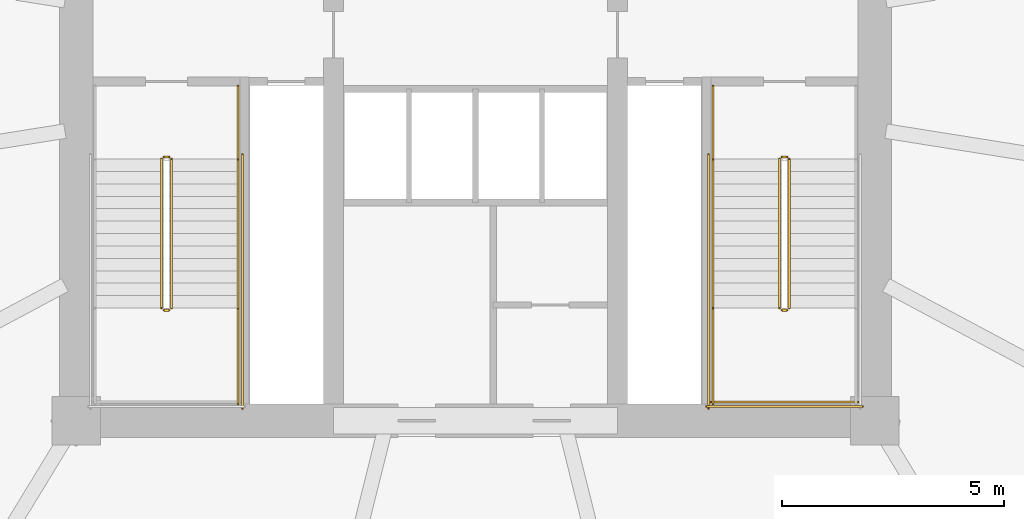
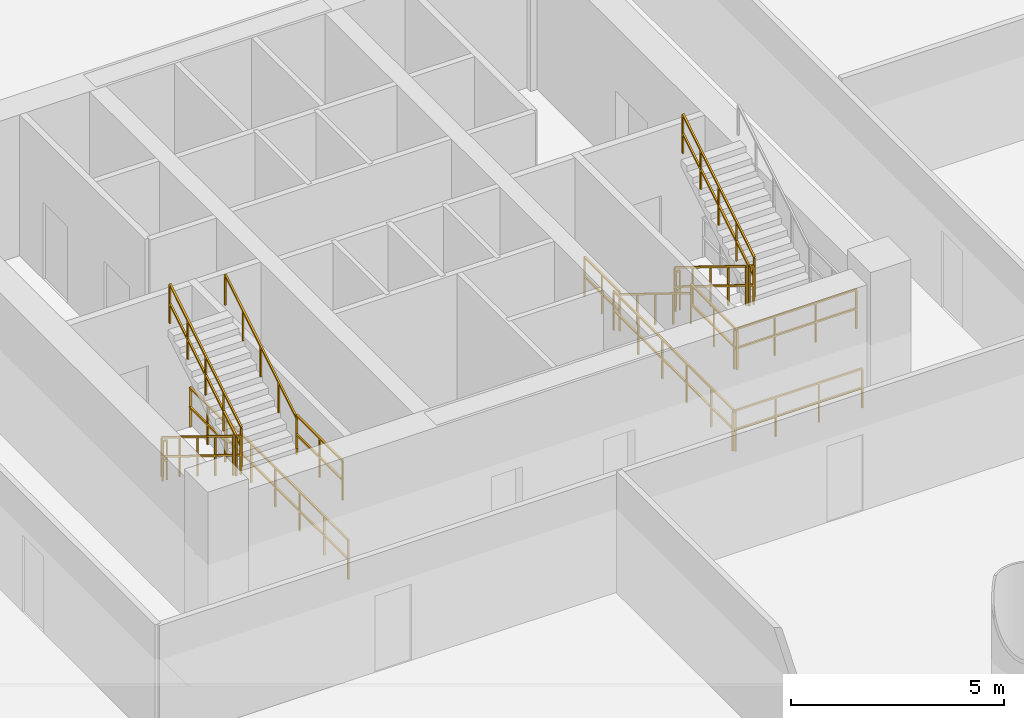
# One storey, part 29 of 36: 18 railings.
"""IFC4 building model written with IfcOpenShell, lengths in metres."""

from ifc_helpers import new_model, si_unit, direction, frame, origin, origin_2d, place, context, subcontext, project, spatial, rectangle, extrude, material, type_object, element, save


model = new_model("IFC4")

# Units and contexts
model_context = context("Model", 3, precision=1e-05, world=origin(), true_north=direction((-0.2419218956, 0.970295726276)))
body_context = subcontext(model_context, "Body", "Model", "MODEL_VIEW")
ifc_project = project(units=[si_unit("LENGTHUNIT", "METRE"), si_unit("AREAUNIT", "SQUARE_METRE"), si_unit("VOLUMEUNIT", "CUBIC_METRE"), si_unit("PLANEANGLEUNIT", "RADIAN"), si_unit("MASSUNIT", "GRAM", prefix="KILO")], contexts=[model_context])

# Site, building, storey
site_placement = place(None, origin())
site = spatial("IfcSite", under=ifc_project, at=site_placement, CompositionType="ELEMENT")
building_placement = place(site_placement, origin())
building = spatial("IfcBuilding", under=site, at=building_placement, Name="Cobrevalo Terracotta Tower", CompositionType="ELEMENT")
storey_placement = place(building_placement, frame((0.0, 0.0, 14.39990234375)))
storey = spatial("IfcBuildingStorey", under=building, at=storey_placement, Name="L03", CompositionType="ELEMENT", Elevation=14.39990234375)

# Railings
ifc_material_1 = material(Name="Brushed stainless steel", Category="steel")
railing_type_1 = type_object("IfcRailingType", Name="Stainless Steel Stair Handrail 900", PredefinedType="HANDRAIL", material=ifc_material_1)
railing_1_placement = place(storey_placement, frame((32.64501953125, 21.340087890625, 2.423095703125)))
element("IfcRailing", 1, at=railing_1_placement, inside=storey, type_object=railing_type_1, Name="L03 ST-1 stair handrail 2", PredefinedType="HANDRAIL", context=body_context, shape_type="SweptSolid", body=[
    extrude(rectangle(XDim=0.048095703125, YDim=0.048095703125, at=origin_2d()), frame((0.0, 0.0, 0.8759765625), z_axis=(0.0, 0.850606129759, 0.525803396734), x_axis=(-1.0, 0.0, 0.0)), (0.0, 0.0, 1.0), 3.949951171875),
    extrude(rectangle(XDim=0.0419921875, YDim=0.0419921875, at=origin_2d()), origin(), (0.0, 0.0, 1.0), 0.851806640625),
    extrude(rectangle(XDim=0.0419921875, YDim=0.0419921875, at=origin_2d()), frame((0.0, 0.83984375, 0.519287109375)), (0.0, 0.0, 1.0), 0.851806640625),
    extrude(rectangle(XDim=0.0419921875, YDim=0.0419921875, at=origin_2d()), frame((0.0, 1.679931640625, 1.03857421875)), (0.0, 0.0, 1.0), 0.851806640625),
    extrude(rectangle(XDim=0.0419921875, YDim=0.0419921875, at=origin_2d()), frame((0.0, 2.52001953125, 1.5576171875)), (0.0, 0.0, 1.0), 0.851806640625),
    extrude(rectangle(XDim=0.0419921875, YDim=0.0419921875, at=origin_2d()), frame((0.0, 3.35986328125, 2.076904296875)), (0.0, 0.0, 1.0), 0.851806640625),
])
railing_2_placement = place(storey_placement, frame((43.35498046875, 24.699951171875, 0.173095703125)))
element("IfcRailing", 2, at=railing_2_placement, inside=storey, type_object=railing_type_1, Name="L03 ST-2 stair handrail 1", PredefinedType="HANDRAIL", context=body_context, shape_type="SweptSolid", body=[
    extrude(rectangle(XDim=0.048095703125, YDim=0.048095703125, at=origin_2d()), frame((0.0, 0.0, 0.8759765625), z_axis=(0.0, -0.850606129759, 0.525803396734), x_axis=(1.0, 0.0, 0.0)), (0.0, 0.0, 1.0), 3.949951171875),
    extrude(rectangle(XDim=0.0419921875, YDim=0.0419921875, at=origin_2d()), origin(), (0.0, 0.0, 1.0), 0.851806640625),
    extrude(rectangle(XDim=0.0419921875, YDim=0.0419921875, at=origin_2d()), frame((0.0, -0.83984375, 0.519287109375)), (0.0, 0.0, 1.0), 0.851806640625),
    extrude(rectangle(XDim=0.0419921875, YDim=0.0419921875, at=origin_2d()), frame((0.0, -1.679931640625, 1.03857421875)), (0.0, 0.0, 1.0), 0.851806640625),
    extrude(rectangle(XDim=0.0419921875, YDim=0.0419921875, at=origin_2d()), frame((0.0, -2.52001953125, 1.5576171875)), (0.0, 0.0, 1.0), 0.851806640625),
    extrude(rectangle(XDim=0.0419921875, YDim=0.0419921875, at=origin_2d()), frame((0.0, -3.35986328125, 2.076904296875)), (0.0, 0.0, 1.0), 0.851806640625),
])
ifc_material_2 = material(Name="Painted galvanized steel", Category="steel")
railing_type_2 = type_object("IfcRailingType", Name="Stair Well Guard Balustrade 1150", PredefinedType="GUARDRAIL", material=ifc_material_2)
railing_3_placement = place(storey_placement, frame((30.925048828125, 24.699951171875, 0.173095703125)))
element("IfcRailing", 3, at=railing_3_placement, inside=storey, type_object=railing_type_2, Name="L03 ST-1 stair guard 1", PredefinedType="GUARDRAIL", context=body_context, shape_type="SweptSolid", body=[
    extrude(rectangle(XDim=0.048095703125, YDim=0.048095703125, at=origin_2d()), frame((0.0, 0.0, 1.1259765625), z_axis=(0.0, -0.850606129759, 0.525803396734), x_axis=(1.0, 0.0, 0.0)), (0.0, 0.0, 1.0), 3.949951171875),
    extrude(rectangle(XDim=0.048095703125, YDim=0.048095703125, at=origin_2d()), frame((0.0, 0.0, 0.574951171875), z_axis=(0.0, -0.850606129759, 0.525803396734), x_axis=(1.0, 0.0, 0.0)), (0.0, 0.0, 1.0), 3.949951171875),
    extrude(rectangle(XDim=0.0419921875, YDim=0.0419921875, at=origin_2d()), origin(), (0.0, 0.0, 1.0), 1.101806640625),
    extrude(rectangle(XDim=0.0419921875, YDim=0.0419921875, at=origin_2d()), frame((0.0, -0.83984375, 0.519287109375)), (0.0, 0.0, 1.0), 1.101806640625),
    extrude(rectangle(XDim=0.0419921875, YDim=0.0419921875, at=origin_2d()), frame((0.0, -1.679931640625, 1.03857421875)), (0.0, 0.0, 1.0), 1.101806640625),
    extrude(rectangle(XDim=0.0419921875, YDim=0.0419921875, at=origin_2d()), frame((0.0, -2.52001953125, 1.5576171875)), (0.0, 0.0, 1.0), 1.101806640625),
    extrude(rectangle(XDim=0.0419921875, YDim=0.0419921875, at=origin_2d()), frame((0.0, -3.35986328125, 2.076904296875)), (0.0, 0.0, 1.0), 1.101806640625),
])
railing_4_placement = place(storey_placement, frame((30.97509765625, 21.2900390625, 2.25)))
element("IfcRailing", 4, at=railing_4_placement, inside=storey, type_object=railing_type_2, Name="L03 ST-1 stair guard 2", PredefinedType="GUARDRAIL", context=body_context, shape_type="SweptSolid", body=[
    extrude(rectangle(XDim=0.048095703125, YDim=0.048095703125, at=origin_2d()), frame((0.0, 0.0, 1.1259765625), z_axis=(1.0, 0.0, 0.0), x_axis=(0.0, 1.0, 0.0)), (0.0, 0.0, 1.0), 0.119873046875),
    extrude(rectangle(XDim=0.048095703125, YDim=0.048095703125, at=origin_2d()), frame((0.0, 0.0, 0.574951171875), z_axis=(1.0, 0.0, 0.0), x_axis=(0.0, 1.0, 0.0)), (0.0, 0.0, 1.0), 0.119873046875),
    extrude(rectangle(XDim=0.0419921875, YDim=0.0419921875, at=origin_2d()), origin(), (0.0, 0.0, 1.0), 1.101806640625),
    extrude(rectangle(XDim=0.0419921875, YDim=0.0419921875, at=origin_2d()), frame((0.119873046875, 0.0, 0.0)), (0.0, 0.0, 1.0), 1.101806640625),
])
railing_5_placement = place(storey_placement, frame((32.64501953125, 21.340087890625, 2.25)))
element("IfcRailing", 5, at=railing_5_placement, inside=storey, type_object=railing_type_2, Name="L03 ST-1 stair guard 4", PredefinedType="GUARDRAIL", context=body_context, shape_type="SweptSolid", body=[
    extrude(rectangle(XDim=0.048095703125, YDim=0.048095703125, at=origin_2d()), frame((0.0, 0.0, 1.1259765625), z_axis=(0.0, -1.0, 0.0), x_axis=(1.0, 0.0, 0.0)), (0.0, 0.0, 1.0), 2.1650390625),
    extrude(rectangle(XDim=0.048095703125, YDim=0.048095703125, at=origin_2d()), frame((0.0, 0.0, 0.574951171875), z_axis=(0.0, -1.0, 0.0), x_axis=(1.0, 0.0, 0.0)), (0.0, 0.0, 1.0), 2.1650390625),
    extrude(rectangle(XDim=0.0419921875, YDim=0.0419921875, at=origin_2d()), origin(), (0.0, 0.0, 1.0), 1.101806640625),
    extrude(rectangle(XDim=0.0419921875, YDim=0.0419921875, at=origin_2d()), frame((0.0, -1.08251953125, 0.0)), (0.0, 0.0, 1.0), 1.101806640625),
    extrude(rectangle(XDim=0.0419921875, YDim=0.0419921875, at=origin_2d()), frame((0.0, -2.1650390625, 0.0)), (0.0, 0.0, 1.0), 1.101806640625),
])
railing_6_placement = place(storey_placement, frame((31.14501953125, 21.340087890625, 2.423095703125)))
element("IfcRailing", 6, at=railing_6_placement, inside=storey, type_object=railing_type_2, Name="L03 ST-1 stair guard 6", PredefinedType="GUARDRAIL", context=body_context, shape_type="SweptSolid", body=[
    extrude(rectangle(XDim=0.048095703125, YDim=0.048095703125, at=origin_2d()), frame((0.0, 0.0, 1.1259765625), z_axis=(0.0, 0.850606129759, 0.525803396734), x_axis=(-1.0, 0.0, 0.0)), (0.0, 0.0, 1.0), 3.949951171875),
    extrude(rectangle(XDim=0.048095703125, YDim=0.048095703125, at=origin_2d()), frame((0.0, 0.0, 0.574951171875), z_axis=(0.0, 0.850606129759, 0.525803396734), x_axis=(-1.0, 0.0, 0.0)), (0.0, 0.0, 1.0), 3.949951171875),
    extrude(rectangle(XDim=0.0419921875, YDim=0.0419921875, at=origin_2d()), origin(), (0.0, 0.0, 1.0), 1.101806640625),
    extrude(rectangle(XDim=0.0419921875, YDim=0.0419921875, at=origin_2d()), frame((0.0, 0.83984375, 0.519287109375)), (0.0, 0.0, 1.0), 1.101806640625),
    extrude(rectangle(XDim=0.0419921875, YDim=0.0419921875, at=origin_2d()), frame((0.0, 1.679931640625, 1.03857421875)), (0.0, 0.0, 1.0), 1.101806640625),
    extrude(rectangle(XDim=0.0419921875, YDim=0.0419921875, at=origin_2d()), frame((0.0, 2.52001953125, 1.5576171875)), (0.0, 0.0, 1.0), 1.101806640625),
    extrude(rectangle(XDim=0.0419921875, YDim=0.0419921875, at=origin_2d()), frame((0.0, 3.35986328125, 2.076904296875)), (0.0, 0.0, 1.0), 1.101806640625),
])
railing_7_placement = place(storey_placement, frame((30.97509765625, 24.75, 0.0)))
element("IfcRailing", 7, at=railing_7_placement, inside=storey, type_object=railing_type_2, Name="L03 ST-1 stair guard 7", PredefinedType="GUARDRAIL", context=body_context, shape_type="SweptSolid", body=[
    extrude(rectangle(XDim=0.048095703125, YDim=0.048095703125, at=origin_2d()), frame((0.0, 0.0, 1.1259765625), z_axis=(1.0, 0.0, 0.0), x_axis=(0.0, 1.0, 0.0)), (0.0, 0.0, 1.0), 0.119873046875),
    extrude(rectangle(XDim=0.048095703125, YDim=0.048095703125, at=origin_2d()), frame((0.0, 0.0, 0.574951171875), z_axis=(1.0, 0.0, 0.0), x_axis=(0.0, 1.0, 0.0)), (0.0, 0.0, 1.0), 0.119873046875),
    extrude(rectangle(XDim=0.0419921875, YDim=0.0419921875, at=origin_2d()), origin(), (0.0, 0.0, 1.0), 1.101806640625),
    extrude(rectangle(XDim=0.0419921875, YDim=0.0419921875, at=origin_2d()), frame((0.119873046875, 0.0, 0.0)), (0.0, 0.0, 1.0), 1.101806640625),
])
railing_8_placement = place(storey_placement, frame((32.64501953125, 26.35009765625, 0.0)))
element("IfcRailing", 8, at=railing_8_placement, inside=storey, type_object=railing_type_2, Name="L03 ST-1 stair guard 9", PredefinedType="GUARDRAIL", context=body_context, shape_type="SweptSolid", body=[
    extrude(rectangle(XDim=0.048095703125, YDim=0.048095703125, at=origin_2d()), frame((0.0, 0.0, 1.1259765625), z_axis=(0.0, -1.0, 0.0), x_axis=(1.0, 0.0, 0.0)), (0.0, 0.0, 1.0), 1.650146484375),
    extrude(rectangle(XDim=0.048095703125, YDim=0.048095703125, at=origin_2d()), frame((0.0, 0.0, 0.574951171875), z_axis=(0.0, -1.0, 0.0), x_axis=(1.0, 0.0, 0.0)), (0.0, 0.0, 1.0), 1.650146484375),
    extrude(rectangle(XDim=0.0419921875, YDim=0.0419921875, at=origin_2d()), origin(), (0.0, 0.0, 1.0), 1.101806640625),
    extrude(rectangle(XDim=0.0419921875, YDim=0.0419921875, at=origin_2d()), frame((0.0, -0.8251953125, 0.0)), (0.0, 0.0, 1.0), 1.101806640625),
    extrude(rectangle(XDim=0.0419921875, YDim=0.0419921875, at=origin_2d()), frame((0.0, -1.650146484375, 0.0)), (0.0, 0.0, 1.0), 1.101806640625),
])
railing_9_placement = place(storey_placement, frame((32.7451171875, 24.800048828125, 0.0)))
element("IfcRailing", 9, at=railing_9_placement, inside=storey, type_object=railing_type_2, Name="L03 ST-1 stair guard 11", PredefinedType="GUARDRAIL", context=body_context, shape_type="SweptSolid", body=[
    extrude(rectangle(XDim=0.048095703125, YDim=0.048095703125, at=origin_2d()), frame((0.0, 0.0, 1.1259765625), z_axis=(0.0, -1.0, 0.0), x_axis=(1.0, 0.0, 0.0)), (0.0, 0.0, 1.0), 5.72509765625),
    extrude(rectangle(XDim=0.048095703125, YDim=0.048095703125, at=origin_2d()), frame((0.0, 0.0, 0.574951171875), z_axis=(0.0, -1.0, 0.0), x_axis=(1.0, 0.0, 0.0)), (0.0, 0.0, 1.0), 5.72509765625),
    extrude(rectangle(XDim=0.0419921875, YDim=0.0419921875, at=origin_2d()), origin(), (0.0, 0.0, 1.0), 1.101806640625),
    extrude(rectangle(XDim=0.0419921875, YDim=0.0419921875, at=origin_2d()), frame((0.0, -1.14501953125, 0.0)), (0.0, 0.0, 1.0), 1.101806640625),
    extrude(rectangle(XDim=0.0419921875, YDim=0.0419921875, at=origin_2d()), frame((0.0, -2.2900390625, 0.0)), (0.0, 0.0, 1.0), 1.101806640625),
    extrude(rectangle(XDim=0.0419921875, YDim=0.0419921875, at=origin_2d()), frame((0.0, -3.43505859375, 0.0)), (0.0, 0.0, 1.0), 1.101806640625),
    extrude(rectangle(XDim=0.0419921875, YDim=0.0419921875, at=origin_2d()), frame((0.0, -4.580078125, 0.0)), (0.0, 0.0, 1.0), 1.101806640625),
    extrude(rectangle(XDim=0.0419921875, YDim=0.0419921875, at=origin_2d()), frame((0.0, -5.72509765625, 0.0)), (0.0, 0.0, 1.0), 1.101806640625),
])
railing_10_placement = place(storey_placement, frame((44.85498046875, 24.699951171875, 0.173095703125)))
element("IfcRailing", 10, at=railing_10_placement, inside=storey, type_object=railing_type_2, Name="L03 ST-2 stair guard 1", PredefinedType="GUARDRAIL", context=body_context, shape_type="SweptSolid", body=[
    extrude(rectangle(XDim=0.048095703125, YDim=0.048095703125, at=origin_2d()), frame((0.0, 0.0, 1.1259765625), z_axis=(0.0, -0.850606129759, 0.525803396734), x_axis=(1.0, 0.0, 0.0)), (0.0, 0.0, 1.0), 3.949951171875),
    extrude(rectangle(XDim=0.048095703125, YDim=0.048095703125, at=origin_2d()), frame((0.0, 0.0, 0.574951171875), z_axis=(0.0, -0.850606129759, 0.525803396734), x_axis=(1.0, 0.0, 0.0)), (0.0, 0.0, 1.0), 3.949951171875),
    extrude(rectangle(XDim=0.0419921875, YDim=0.0419921875, at=origin_2d()), origin(), (0.0, 0.0, 1.0), 1.101806640625),
    extrude(rectangle(XDim=0.0419921875, YDim=0.0419921875, at=origin_2d()), frame((0.0, -0.83984375, 0.519287109375)), (0.0, 0.0, 1.0), 1.101806640625),
    extrude(rectangle(XDim=0.0419921875, YDim=0.0419921875, at=origin_2d()), frame((0.0, -1.679931640625, 1.03857421875)), (0.0, 0.0, 1.0), 1.101806640625),
    extrude(rectangle(XDim=0.0419921875, YDim=0.0419921875, at=origin_2d()), frame((0.0, -2.52001953125, 1.5576171875)), (0.0, 0.0, 1.0), 1.101806640625),
    extrude(rectangle(XDim=0.0419921875, YDim=0.0419921875, at=origin_2d()), frame((0.0, -3.35986328125, 2.076904296875)), (0.0, 0.0, 1.0), 1.101806640625),
])
railing_11_placement = place(storey_placement, frame((44.905029296875, 21.2900390625, 2.25)))
element("IfcRailing", 11, at=railing_11_placement, inside=storey, type_object=railing_type_2, Name="L03 ST-2 stair guard 2", PredefinedType="GUARDRAIL", context=body_context, shape_type="SweptSolid", body=[
    extrude(rectangle(XDim=0.048095703125, YDim=0.048095703125, at=origin_2d()), frame((0.0, 0.0, 1.1259765625), z_axis=(1.0, 0.0, 0.0), x_axis=(0.0, 1.0, 0.0)), (0.0, 0.0, 1.0), 0.119873046875),
    extrude(rectangle(XDim=0.048095703125, YDim=0.048095703125, at=origin_2d()), frame((0.0, 0.0, 0.574951171875), z_axis=(1.0, 0.0, 0.0), x_axis=(0.0, 1.0, 0.0)), (0.0, 0.0, 1.0), 0.119873046875),
    extrude(rectangle(XDim=0.0419921875, YDim=0.0419921875, at=origin_2d()), origin(), (0.0, 0.0, 1.0), 1.101806640625),
    extrude(rectangle(XDim=0.0419921875, YDim=0.0419921875, at=origin_2d()), frame((0.119873046875, 0.0, 0.0)), (0.0, 0.0, 1.0), 1.101806640625),
])
railing_12_placement = place(storey_placement, frame((43.35498046875, 21.340087890625, 2.25)))
element("IfcRailing", 12, at=railing_12_placement, inside=storey, type_object=railing_type_2, Name="L03 ST-2 stair guard 3", PredefinedType="GUARDRAIL", context=body_context, shape_type="SweptSolid", body=[
    extrude(rectangle(XDim=0.048095703125, YDim=0.048095703125, at=origin_2d()), frame((0.0, 0.0, 1.1259765625), z_axis=(0.0, -1.0, 0.0), x_axis=(1.0, 0.0, 0.0)), (0.0, 0.0, 1.0), 2.1650390625),
    extrude(rectangle(XDim=0.048095703125, YDim=0.048095703125, at=origin_2d()), frame((0.0, 0.0, 0.574951171875), z_axis=(0.0, -1.0, 0.0), x_axis=(1.0, 0.0, 0.0)), (0.0, 0.0, 1.0), 2.1650390625),
    extrude(rectangle(XDim=0.0419921875, YDim=0.0419921875, at=origin_2d()), origin(), (0.0, 0.0, 1.0), 1.101806640625),
    extrude(rectangle(XDim=0.0419921875, YDim=0.0419921875, at=origin_2d()), frame((0.0, -1.08251953125, 0.0)), (0.0, 0.0, 1.0), 1.101806640625),
    extrude(rectangle(XDim=0.0419921875, YDim=0.0419921875, at=origin_2d()), frame((0.0, -2.1650390625, 0.0)), (0.0, 0.0, 1.0), 1.101806640625),
])
railing_13_placement = place(storey_placement, frame((43.304931640625, 19.22509765625, 2.25)))
element("IfcRailing", 13, at=railing_13_placement, inside=storey, type_object=railing_type_2, Name="L03 ST-2 stair guard 5", PredefinedType="GUARDRAIL", context=body_context, shape_type="SweptSolid", body=[
    extrude(rectangle(XDim=0.048095703125, YDim=0.048095703125, at=origin_2d()), frame((0.0, 0.0, 1.1259765625), z_axis=(1.0, 0.0, 0.0), x_axis=(0.0, 1.0, 0.0)), (0.0, 0.0, 1.0), 3.320068359375),
    extrude(rectangle(XDim=0.048095703125, YDim=0.048095703125, at=origin_2d()), frame((0.0, 0.0, 0.574951171875), z_axis=(1.0, 0.0, 0.0), x_axis=(0.0, 1.0, 0.0)), (0.0, 0.0, 1.0), 3.320068359375),
    extrude(rectangle(XDim=0.0419921875, YDim=0.0419921875, at=origin_2d()), origin(), (0.0, 0.0, 1.0), 1.101806640625),
    extrude(rectangle(XDim=0.0419921875, YDim=0.0419921875, at=origin_2d()), frame((1.106689453125, 0.0, 0.0)), (0.0, 0.0, 1.0), 1.101806640625),
    extrude(rectangle(XDim=0.0419921875, YDim=0.0419921875, at=origin_2d()), frame((2.21337890625, 0.0, 0.0)), (0.0, 0.0, 1.0), 1.101806640625),
    extrude(rectangle(XDim=0.0419921875, YDim=0.0419921875, at=origin_2d()), frame((3.320068359375, 0.0, 0.0)), (0.0, 0.0, 1.0), 1.101806640625),
])
railing_14_placement = place(storey_placement, frame((45.074951171875, 21.340087890625, 2.423095703125)))
element("IfcRailing", 14, at=railing_14_placement, inside=storey, type_object=railing_type_2, Name="L03 ST-2 stair guard 6", PredefinedType="GUARDRAIL", context=body_context, shape_type="SweptSolid", body=[
    extrude(rectangle(XDim=0.048095703125, YDim=0.048095703125, at=origin_2d()), frame((0.0, 0.0, 1.1259765625), z_axis=(0.0, 0.850606129759, 0.525803396734), x_axis=(-1.0, 0.0, 0.0)), (0.0, 0.0, 1.0), 3.949951171875),
    extrude(rectangle(XDim=0.048095703125, YDim=0.048095703125, at=origin_2d()), frame((0.0, 0.0, 0.574951171875), z_axis=(0.0, 0.850606129759, 0.525803396734), x_axis=(-1.0, 0.0, 0.0)), (0.0, 0.0, 1.0), 3.949951171875),
    extrude(rectangle(XDim=0.0419921875, YDim=0.0419921875, at=origin_2d()), origin(), (0.0, 0.0, 1.0), 1.101806640625),
    extrude(rectangle(XDim=0.0419921875, YDim=0.0419921875, at=origin_2d()), frame((0.0, 0.83984375, 0.519287109375)), (0.0, 0.0, 1.0), 1.101806640625),
    extrude(rectangle(XDim=0.0419921875, YDim=0.0419921875, at=origin_2d()), frame((0.0, 1.679931640625, 1.03857421875)), (0.0, 0.0, 1.0), 1.101806640625),
    extrude(rectangle(XDim=0.0419921875, YDim=0.0419921875, at=origin_2d()), frame((0.0, 2.52001953125, 1.5576171875)), (0.0, 0.0, 1.0), 1.101806640625),
    extrude(rectangle(XDim=0.0419921875, YDim=0.0419921875, at=origin_2d()), frame((0.0, 3.35986328125, 2.076904296875)), (0.0, 0.0, 1.0), 1.101806640625),
])
railing_15_placement = place(storey_placement, frame((44.905029296875, 24.75, 0.0)))
element("IfcRailing", 15, at=railing_15_placement, inside=storey, type_object=railing_type_2, Name="L03 ST-2 stair guard 7", PredefinedType="GUARDRAIL", context=body_context, shape_type="SweptSolid", body=[
    extrude(rectangle(XDim=0.048095703125, YDim=0.048095703125, at=origin_2d()), frame((0.0, 0.0, 1.1259765625), z_axis=(1.0, 0.0, 0.0), x_axis=(0.0, 1.0, 0.0)), (0.0, 0.0, 1.0), 0.119873046875),
    extrude(rectangle(XDim=0.048095703125, YDim=0.048095703125, at=origin_2d()), frame((0.0, 0.0, 0.574951171875), z_axis=(1.0, 0.0, 0.0), x_axis=(0.0, 1.0, 0.0)), (0.0, 0.0, 1.0), 0.119873046875),
    extrude(rectangle(XDim=0.0419921875, YDim=0.0419921875, at=origin_2d()), origin(), (0.0, 0.0, 1.0), 1.101806640625),
    extrude(rectangle(XDim=0.0419921875, YDim=0.0419921875, at=origin_2d()), frame((0.119873046875, 0.0, 0.0)), (0.0, 0.0, 1.0), 1.101806640625),
])
railing_16_placement = place(storey_placement, frame((43.35498046875, 26.35009765625, 0.0)))
element("IfcRailing", 16, at=railing_16_placement, inside=storey, type_object=railing_type_2, Name="L03 ST-2 stair guard 8", PredefinedType="GUARDRAIL", context=body_context, shape_type="SweptSolid", body=[
    extrude(rectangle(XDim=0.048095703125, YDim=0.048095703125, at=origin_2d()), frame((0.0, 0.0, 1.1259765625), z_axis=(0.0, -1.0, 0.0), x_axis=(1.0, 0.0, 0.0)), (0.0, 0.0, 1.0), 1.650146484375),
    extrude(rectangle(XDim=0.048095703125, YDim=0.048095703125, at=origin_2d()), frame((0.0, 0.0, 0.574951171875), z_axis=(0.0, -1.0, 0.0), x_axis=(1.0, 0.0, 0.0)), (0.0, 0.0, 1.0), 1.650146484375),
    extrude(rectangle(XDim=0.0419921875, YDim=0.0419921875, at=origin_2d()), origin(), (0.0, 0.0, 1.0), 1.101806640625),
    extrude(rectangle(XDim=0.0419921875, YDim=0.0419921875, at=origin_2d()), frame((0.0, -0.8251953125, 0.0)), (0.0, 0.0, 1.0), 1.101806640625),
    extrude(rectangle(XDim=0.0419921875, YDim=0.0419921875, at=origin_2d()), frame((0.0, -1.650146484375, 0.0)), (0.0, 0.0, 1.0), 1.101806640625),
])
railing_17_placement = place(storey_placement, frame((43.2548828125, 24.800048828125, 0.0)))
element("IfcRailing", 17, at=railing_17_placement, inside=storey, type_object=railing_type_2, Name="L03 ST-2 stair guard 10", PredefinedType="GUARDRAIL", context=body_context, shape_type="SweptSolid", body=[
    extrude(rectangle(XDim=0.048095703125, YDim=0.048095703125, at=origin_2d()), frame((0.0, 0.0, 1.1259765625), z_axis=(0.0, -1.0, 0.0), x_axis=(1.0, 0.0, 0.0)), (0.0, 0.0, 1.0), 5.72509765625),
    extrude(rectangle(XDim=0.048095703125, YDim=0.048095703125, at=origin_2d()), frame((0.0, 0.0, 0.574951171875), z_axis=(0.0, -1.0, 0.0), x_axis=(1.0, 0.0, 0.0)), (0.0, 0.0, 1.0), 5.72509765625),
    extrude(rectangle(XDim=0.0419921875, YDim=0.0419921875, at=origin_2d()), origin(), (0.0, 0.0, 1.0), 1.101806640625),
    extrude(rectangle(XDim=0.0419921875, YDim=0.0419921875, at=origin_2d()), frame((0.0, -1.14501953125, 0.0)), (0.0, 0.0, 1.0), 1.101806640625),
    extrude(rectangle(XDim=0.0419921875, YDim=0.0419921875, at=origin_2d()), frame((0.0, -2.2900390625, 0.0)), (0.0, 0.0, 1.0), 1.101806640625),
    extrude(rectangle(XDim=0.0419921875, YDim=0.0419921875, at=origin_2d()), frame((0.0, -3.43505859375, 0.0)), (0.0, 0.0, 1.0), 1.101806640625),
    extrude(rectangle(XDim=0.0419921875, YDim=0.0419921875, at=origin_2d()), frame((0.0, -4.580078125, 0.0)), (0.0, 0.0, 1.0), 1.101806640625),
    extrude(rectangle(XDim=0.0419921875, YDim=0.0419921875, at=origin_2d()), frame((0.0, -5.72509765625, 0.0)), (0.0, 0.0, 1.0), 1.101806640625),
])
railing_18_placement = place(storey_placement, frame((43.205078125, 19.125, 0.0)))
element("IfcRailing", 18, at=railing_18_placement, inside=storey, type_object=railing_type_2, Name="L03 ST-2 stair guard 12", PredefinedType="GUARDRAIL", context=body_context, shape_type="SweptSolid", body=[
    extrude(rectangle(XDim=0.048095703125, YDim=0.048095703125, at=origin_2d()), frame((0.0, 0.0, 1.1259765625), z_axis=(1.0, 0.0, 0.0), x_axis=(0.0, 1.0, 0.0)), (0.0, 0.0, 1.0), 3.52001953125),
    extrude(rectangle(XDim=0.048095703125, YDim=0.048095703125, at=origin_2d()), frame((0.0, 0.0, 0.574951171875), z_axis=(1.0, 0.0, 0.0), x_axis=(0.0, 1.0, 0.0)), (0.0, 0.0, 1.0), 3.52001953125),
    extrude(rectangle(XDim=0.0419921875, YDim=0.0419921875, at=origin_2d()), origin(), (0.0, 0.0, 1.0), 1.101806640625),
    extrude(rectangle(XDim=0.0419921875, YDim=0.0419921875, at=origin_2d()), frame((1.17333984375, 0.0, 0.0)), (0.0, 0.0, 1.0), 1.101806640625),
    extrude(rectangle(XDim=0.0419921875, YDim=0.0419921875, at=origin_2d()), frame((2.3466796875, 0.0, 0.0)), (0.0, 0.0, 1.0), 1.101806640625),
    extrude(rectangle(XDim=0.0419921875, YDim=0.0419921875, at=origin_2d()), frame((3.52001953125, 0.0, 0.0)), (0.0, 0.0, 1.0), 1.101806640625),
])

save(model, "model.ifc")
